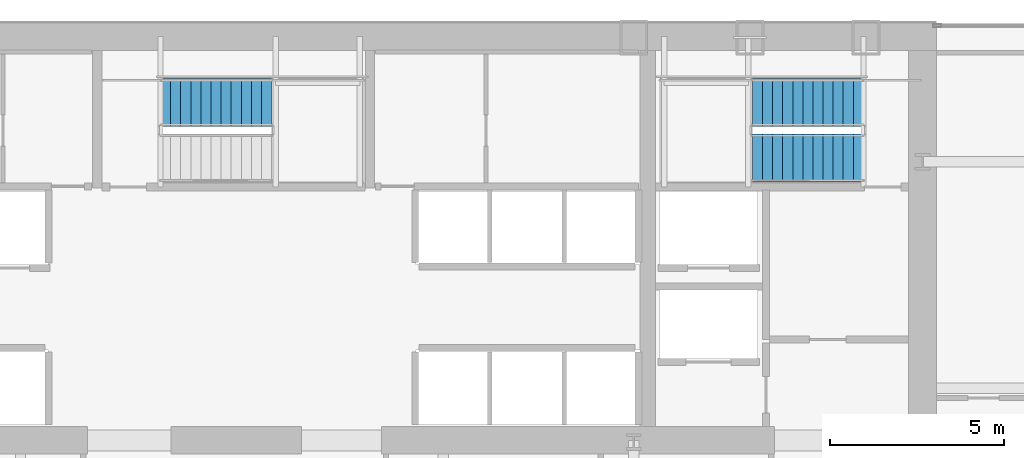
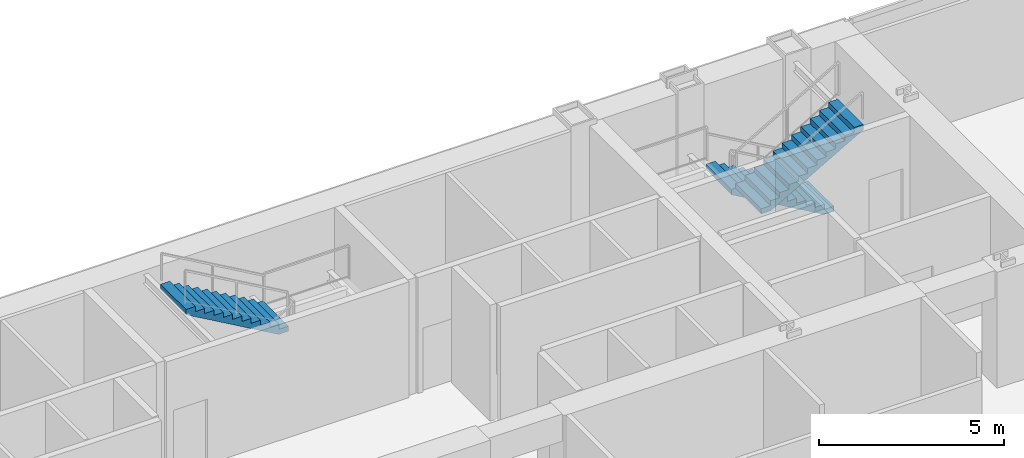
# One storey, part 34 of 36: 3 stair flights, 2 elements without a shape of their own.
"""IFC4 building model written with IfcOpenShell, lengths in metres."""

from ifc_helpers import new_model, si_unit, direction, frame, origin, place, context, subcontext, project, spatial, polyline, outline, extrude, material, type_object, element, aggregate, save


model = new_model("IFC4")

# Units and contexts
model_context = context("Model", 3, precision=1e-05, world=origin(), true_north=direction((0.0, 1.0)))
body_context = subcontext(model_context, "Body", "Model", "MODEL_VIEW")
ifc_project = project(units=[si_unit("LENGTHUNIT", "METRE"), si_unit("AREAUNIT", "SQUARE_METRE"), si_unit("VOLUMEUNIT", "CUBIC_METRE"), si_unit("PLANEANGLEUNIT", "RADIAN"), si_unit("MASSUNIT", "GRAM", prefix="KILO")], contexts=[model_context])

# Site, building, storey
site_placement = place(None, origin())
site = spatial("IfcSite", under=ifc_project, at=site_placement, CompositionType="ELEMENT")
building_placement = place(site_placement, origin())
building = spatial("IfcBuilding", under=site, at=building_placement, Name="Khoronbel Lancet Exchange", CompositionType="ELEMENT")
storey_placement = place(building_placement, frame((0.0, 0.0, 57.800048828125)))
storey = spatial("IfcBuildingStorey", under=building, at=storey_placement, Name="L13", CompositionType="ELEMENT", Elevation=57.800048828125)

# Stair, stair flights
ifc_material = material(Name="Concrete C40/50", Category="concrete")
stair_type = type_object("IfcStairType", Name="STR-CORE150", PredefinedType="HALF_TURN_STAIR", material=ifc_material)
stair_1_placement = place(storey_placement, origin())
stair_1 = element("IfcStair", 1, at=stair_1_placement, inside=storey, type_object=stair_type, Name="L13 Protected Exit Stair ST2", PredefinedType="HALF_TURN_STAIR")
stair_flight_type = type_object("IfcStairFlightType", Name="STF-150", PredefinedType="STRAIGHT", material=ifc_material)
stair_flight_1_placement = place(storey_placement, frame((54.60009765625, 51.409912109375, 0.0), z_axis=(0.0, 0.0, 1.0), x_axis=(-1.0, 0.0, 0.0)))
stair_flight_1 = element("IfcStairFlight", 2, at=stair_flight_1_placement, type_object=stair_flight_type, Name="ST2 flight 1", NumberOfRisers=12, NumberOfTreads=11, PredefinedType="STRAIGHT", RiserHeight=0.166666667, TreadLength=0.29, context=body_context, shape_type="SweptSolid", body=[
    extrude(outline(polyline([(0.0, 0.0), (0.0, 0.166748046875), (0.2900390625, 0.166748046875), (0.2900390625, 0.333251953125), (0.580078125, 0.333251953125), (0.580078125, 0.5), (0.8701171875, 0.5), (0.8701171875, 0.666748046875), (1.159912109375, 0.666748046875), (1.159912109375, 0.833251953125), (1.449951171875, 0.833251953125), (1.449951171875, 1.0), (1.739990234375, 1.0), (1.739990234375, 1.166748046875), (2.030029296875, 1.166748046875), (2.030029296875, 1.333251953125), (2.320068359375, 1.333251953125), (2.320068359375, 1.5), (2.610107421875, 1.5), (2.610107421875, 1.666748046875), (2.89990234375, 1.666748046875), (2.89990234375, 1.833251953125), (3.18994140625, 1.833251953125), (3.18994140625, 2.0), (3.18994140625, 1.660400390625), (0.30078125, 0.0), (0.0, 0.0)])), frame((0.0, 0.68994140625, 0.0), z_axis=(0.0, -1.0, 0.0), x_axis=(1.0, 0.0, 0.0)), (0.0, 0.0, 1.0), 1.3798828125),
])
stair_flight_2_placement = place(storey_placement, frame((51.409912109375, 49.81005859375, 2.0), z_axis=(0.0, 0.0, 1.0), x_axis=(1.0, 0.0, 0.0)))
stair_flight_2 = element("IfcStairFlight", 3, at=stair_flight_2_placement, type_object=stair_flight_type, Name="ST2 flight 2", NumberOfRisers=12, NumberOfTreads=11, PredefinedType="STRAIGHT", RiserHeight=0.166666667, TreadLength=0.29, context=body_context, shape_type="SweptSolid", body=[
    extrude(outline(polyline([(0.0, 0.0), (0.0, 0.166748046875), (0.2900390625, 0.166748046875), (0.2900390625, 0.333251953125), (0.580078125, 0.333251953125), (0.580078125, 0.5), (0.8701171875, 0.5), (0.8701171875, 0.666748046875), (1.159912109375, 0.666748046875), (1.159912109375, 0.833251953125), (1.449951171875, 0.833251953125), (1.449951171875, 1.0), (1.739990234375, 1.0), (1.739990234375, 1.166748046875), (2.030029296875, 1.166748046875), (2.030029296875, 1.333251953125), (2.320068359375, 1.333251953125), (2.320068359375, 1.5), (2.610107421875, 1.5), (2.610107421875, 1.666748046875), (2.89990234375, 1.666748046875), (2.89990234375, 1.833251953125), (3.18994140625, 1.833251953125), (3.18994140625, 2.0), (3.18994140625, 1.660400390625), (0.30078125, 0.0), (0.0, 0.0)])), frame((0.0, 0.68994140625, 0.0), z_axis=(0.0, -1.0, 0.0), x_axis=(1.0, 0.0, 0.0)), (0.0, 0.0, 1.0), 1.3798828125),
])
aggregate(stair_1, [stair_flight_1, stair_flight_2])

# Stair, stair flight
stair_2_placement = place(storey_placement, origin())
stair_2 = element("IfcStair", 4, at=stair_2_placement, inside=storey, type_object=stair_type, Name="L13 Protected Exit Stair ST3", PredefinedType="HALF_TURN_STAIR")
stair_flight_3_placement = place(storey_placement, frame((37.590087890625, 51.409912109375, 2.0), z_axis=(0.0, 0.0, 1.0), x_axis=(-1.0, 0.0, 0.0)))
stair_flight_3 = element("IfcStairFlight", 5, at=stair_flight_3_placement, type_object=stair_flight_type, Name="ST3 flight 2", NumberOfRisers=12, NumberOfTreads=11, PredefinedType="STRAIGHT", RiserHeight=0.166666667, TreadLength=0.29, context=body_context, shape_type="SweptSolid", body=[
    extrude(outline(polyline([(0.0, 0.0), (0.0, 0.166748046875), (0.2900390625, 0.166748046875), (0.2900390625, 0.333251953125), (0.580078125, 0.333251953125), (0.580078125, 0.5), (0.8701171875, 0.5), (0.8701171875, 0.666748046875), (1.159912109375, 0.666748046875), (1.159912109375, 0.833251953125), (1.449951171875, 0.833251953125), (1.449951171875, 1.0), (1.739990234375, 1.0), (1.739990234375, 1.166748046875), (2.030029296875, 1.166748046875), (2.030029296875, 1.333251953125), (2.320068359375, 1.333251953125), (2.320068359375, 1.5), (2.610107421875, 1.5), (2.610107421875, 1.666748046875), (2.89990234375, 1.666748046875), (2.89990234375, 1.833251953125), (3.18994140625, 1.833251953125), (3.18994140625, 2.0), (3.18994140625, 1.660400390625), (0.30078125, 0.0), (0.0, 0.0)])), frame((0.0, 0.68994140625, 0.0), z_axis=(0.0, -1.0, 0.0), x_axis=(1.0, 0.0, 0.0)), (0.0, 0.0, 1.0), 1.3798828125),
])
aggregate(stair_2, [stair_flight_3])

save(model, "model.ifc")
